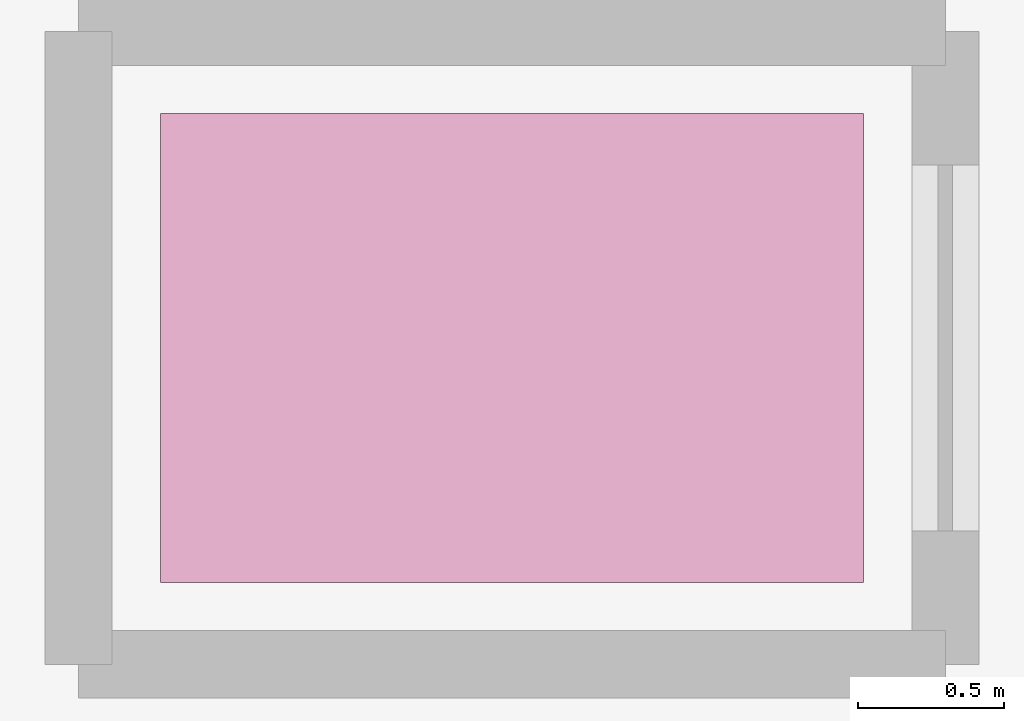
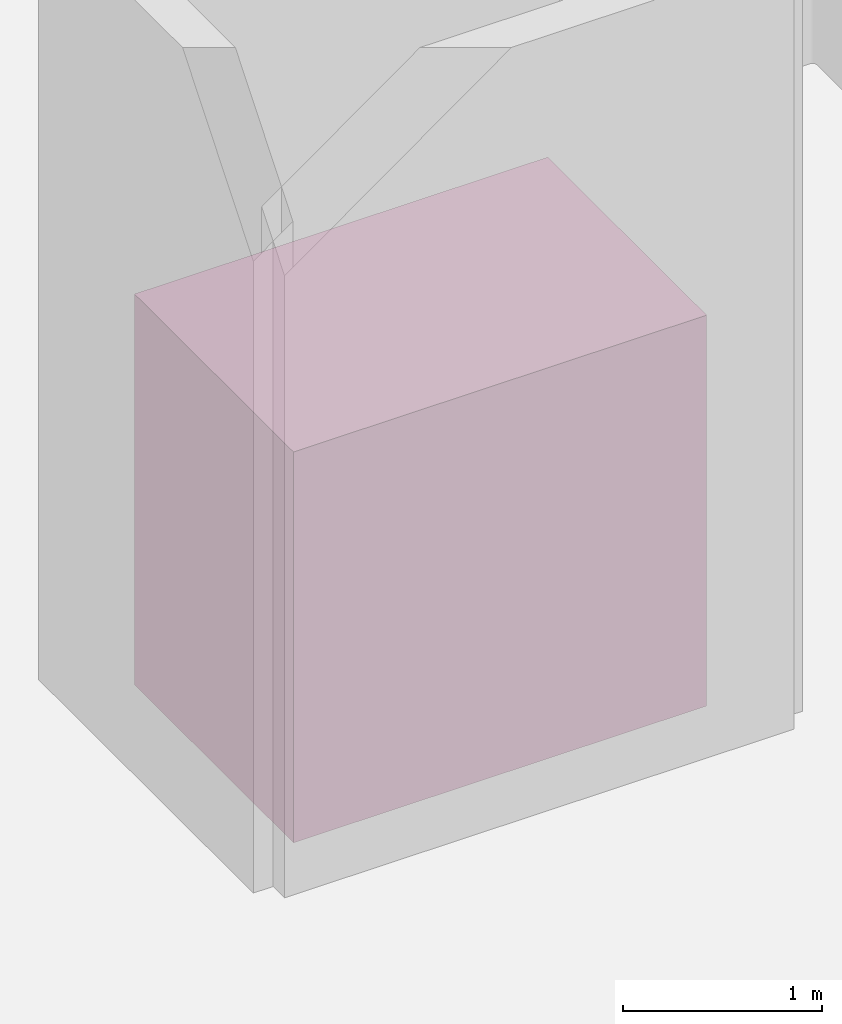
# One storey, part 143 of 143: 1 transport element.
"""IFC4 building model written with IfcOpenShell, lengths in metres."""

import ifcopenshell
import ifcopenshell.guid

model = None  # the IFC model being written
_history = None  # IfcOwnerHistory: only IFC2X3 demands one
_inside = {}  # id of a spatial element -> (the spatial element, [elements in it])
_under = {}  # id of a project, library or spatial element -> (it, [spatial elements below it])
_declared = {}  # id of a project -> (the project, [libraries it declares])
_typed = {}  # id of a type object -> (the type object, [elements of that type])
_made_of = {}  # id of a material, layer set ... -> (it, [elements and type objects made of it])


def new_model(schema):
    """Start an empty IFC model of exactly this schema.

    Asked for "IFC4X3", IfcOpenShell would pick the latest addendum, in which some entities
    have other attributes; the version numbers below select the first issue.
    IFC2X3 requires an IfcOwnerHistory on every rooted entity: one is made here for all.
    """
    global model, _history
    if schema == "IFC4X3":
        model = ifcopenshell.file(schema_version=(4, 3, 0, 0))
    else:
        model = ifcopenshell.file(schema=schema)
    _inside.clear()
    _under.clear()
    _declared.clear()
    _typed.clear()
    _made_of.clear()
    _history = None
    if model.schema == "IFC2X3":
        org = make("IfcOrganization", Name="unknown")
        user = make(
            "IfcPersonAndOrganization",
            ThePerson=make("IfcPerson", FamilyName="unknown"),
            TheOrganization=org,
        )
        app = make(
            "IfcApplication",
            ApplicationDeveloper=org,
            Version="unknown",
            ApplicationFullName="unknown",
            ApplicationIdentifier="unknown",
        )
        _history = make(
            "IfcOwnerHistory",
            OwningUser=user,
            OwningApplication=app,
            ChangeAction="ADDED",
            CreationDate=0,
        )
    return model


def make(cls, **values):
    """One entity of the class cls with the attributes given. An attribute that is None is left unset."""
    return model.create_entity(
        cls, **{name: value for name, value in values.items() if value is not None}
    )


def rooted(cls, **values):
    """An entity with a GlobalId (a new one), such as an element, a storey or a relation."""
    return make(cls, GlobalId=ifcopenshell.guid.new(), OwnerHistory=_history, **values)


def si_unit(unit_type, name, prefix=None):
    """IfcSIUnit, for example si_unit("LENGTHUNIT", "METRE", prefix="MILLI")."""
    return make("IfcSIUnit", UnitType=unit_type, Prefix=prefix, Name=name)


def assignment(units):
    """IfcUnitAssignment: the units of a project."""
    return None if units is None else make("IfcUnitAssignment", Units=units)


def point(xyz):
    """IfcCartesianPoint."""
    return None if xyz is None else make("IfcCartesianPoint", Coordinates=xyz)


def direction(xyz):
    """IfcDirection."""
    return None if xyz is None else make("IfcDirection", DirectionRatios=xyz)


def frame(location, z_axis=None, x_axis=None):
    """IfcAxis2Placement3D, a coordinate frame: its origin and axes. An axis left out is left unset."""
    return make(
        "IfcAxis2Placement3D",
        Location=point(location),
        Axis=direction(z_axis),
        RefDirection=direction(x_axis),
    )


def frame_2d(location, x_axis=None):
    """IfcAxis2Placement2D, a coordinate frame in the plane: its origin and x axis."""
    return make(
        "IfcAxis2Placement2D", Location=point(location), RefDirection=direction(x_axis)
    )


def origin():
    """The frame at (0, 0, 0) with its axes left unset."""
    return frame((0.0, 0.0, 0.0))


def origin_2d():
    """The frame at (0, 0) in the plane with its x axis left unset."""
    return frame_2d((0.0, 0.0))


def place(relative_to, where):
    """IfcLocalPlacement: puts the frame where relative to a parent placement (None: the world)."""
    return make(
        "IfcLocalPlacement", PlacementRelTo=relative_to, RelativePlacement=where
    )


def context(
    kind, dimensions, precision=None, world=None, true_north=None, identifier=None
):
    """IfcGeometricRepresentationContext, for example the 3D "Model" context."""
    return make(
        "IfcGeometricRepresentationContext",
        ContextIdentifier=identifier,
        ContextType=kind,
        CoordinateSpaceDimension=dimensions,
        Precision=precision,
        WorldCoordinateSystem=world,
        TrueNorth=true_north,
    )


def subcontext(parent, identifier, kind, view, scale=None):
    """IfcGeometricRepresentationSubContext, for example "Body" below "Model"."""
    return make(
        "IfcGeometricRepresentationSubContext",
        ContextIdentifier=identifier,
        ContextType=kind,
        ParentContext=parent,
        TargetScale=scale,
        TargetView=view,
    )


def project(units=None, contexts=None):
    """IfcProject with its units and contexts."""
    return rooted(
        "IfcProject",
        Name="project",
        RepresentationContexts=contexts,
        UnitsInContext=assignment(units),
    )


def spatial(cls, under=None, at=None, **own):
    """A site, building, storey or space (cls), placed at a placement, below another one or the project."""
    s = rooted(cls, ObjectPlacement=at, **own)
    if under is not None:
        _under.setdefault(under.id(), (under, []))[1].append(s)
    return s


def profile(cls, at=None, kind="AREA", **sizes):
    """A parametric profile (cls). Its sizes go by their IFC names, for example OverallWidth=200.0."""
    return make(cls, ProfileType=kind, Position=at, **sizes)


def rectangle(**sizes):
    """IfcRectangleProfileDef."""
    return profile("IfcRectangleProfileDef", **sizes)


def extrude(swept, where, along, depth):
    """IfcExtrudedAreaSolid: the profile swept, set in the frame where, extruded along a direction by depth."""
    return make(
        "IfcExtrudedAreaSolid",
        SweptArea=swept,
        Position=where,
        ExtrudedDirection=direction(along),
        Depth=depth,
    )


def shape(context_of_items, identifier, shape_type, items):
    """IfcShapeRepresentation: the items that make up one representation, for example the "Body"."""
    return make(
        "IfcShapeRepresentation",
        ContextOfItems=context_of_items,
        RepresentationIdentifier=identifier,
        RepresentationType=shape_type,
        Items=items,
    )


def material(Name=None, Category=None):
    """IfcMaterial."""
    return make("IfcMaterial", Name=Name, Category=Category)


def made_of(thing, what):
    """Note that an element or type object is made of a material, layer set ...; save() writes the relation."""
    if what is not None:
        _made_of.setdefault(what.id(), (what, []))[1].append(thing)
    return thing


def type_object(cls, material=None, **own):
    """A type object (cls), such as IfcWallType, which elements share."""
    return made_of(rooted(cls, **own), material)


def element(
    cls,
    number,
    at=None,
    inside=None,
    cuts=None,
    type_object=None,
    material=None,
    context=None,
    identifier="Body",
    shape_type=None,
    held_by="IfcProductDefinitionShape",
    body=None,
    shapes=None,
    **own,
):
    """One element of the class cls, such as IfcWall. Its Tag is "e" and its number.

    at: its placement. inside: the storey or other place that contains it. cuts: it is an
    opening in that element (IfcRelVoidsElement). A single representation is given by context,
    identifier, shape_type and body (its items); several are given by shapes. held_by: the class
    of the entity that holds the representations. save() writes the other relations.
    """
    e = rooted(cls, Tag="e%d" % number, ObjectPlacement=at, **own)
    if body is not None:
        shapes = [shape(context, identifier, shape_type, body)]
    if shapes is not None:
        e.Representation = make(held_by, Representations=shapes)
    if inside is not None:
        _inside.setdefault(inside.id(), (inside, []))[1].append(e)
    if cuts is not None:
        rooted(
            "IfcRelVoidsElement", RelatingBuildingElement=cuts, RelatedOpeningElement=e
        )
    if type_object is not None:
        _typed.setdefault(type_object.id(), (type_object, []))[1].append(e)
    return made_of(e, material)


def aggregate(whole, parts):
    """IfcRelAggregates: a whole, such as a stair, and the parts it consists of."""
    return rooted("IfcRelAggregates", RelatingObject=whole, RelatedObjects=parts)


def save(model, path):
    """Write the relations noted so far, then the file.

    IfcRelAggregates (storeys below a building ...), IfcRelContainedInSpatialStructure (elements
    in a storey), IfcRelDefinesByType, IfcRelAssociatesMaterial and IfcRelDeclares: one each for
    every whole, place, type object, material and project.
    """
    for whole, parts in _under.values():
        aggregate(whole, parts)
    for where, things in _inside.values():
        rooted(
            "IfcRelContainedInSpatialStructure",
            RelatedElements=things,
            RelatingStructure=where,
        )
    for kind, things in _typed.values():
        rooted("IfcRelDefinesByType", RelatedObjects=things, RelatingType=kind)
    for what, things in _made_of.values():
        rooted("IfcRelAssociatesMaterial", RelatedObjects=things, RelatingMaterial=what)
    for by, libraries in _declared.values():
        rooted("IfcRelDeclares", RelatingContext=by, RelatedDefinitions=libraries)
    model.write(path)


model = new_model("IFC4")

# Units and contexts
model_context = context("Model", 3, precision=1e-05, world=origin(), true_north=direction((0.0, 1.0)))
body_context = subcontext(model_context, "Body", "Model", "MODEL_VIEW")
ifc_project = project(units=[si_unit("LENGTHUNIT", "METRE"), si_unit("AREAUNIT", "SQUARE_METRE"), si_unit("VOLUMEUNIT", "CUBIC_METRE"), si_unit("PLANEANGLEUNIT", "RADIAN"), si_unit("MASSUNIT", "GRAM", prefix="KILO")], contexts=[model_context])

# Site, building, storey
site_placement = place(None, origin())
site = spatial("IfcSite", under=ifc_project, at=site_placement, CompositionType="ELEMENT")
building_placement = place(site_placement, origin())
building = spatial("IfcBuilding", under=site, at=building_placement, Name="Marlcrest Central Station", CompositionType="ELEMENT")
storey_placement = place(building_placement, frame((0.0, 0.0, 4.800048828125)))
storey = spatial("IfcBuildingStorey", under=building, at=storey_placement, Name="L01", CompositionType="ELEMENT", Elevation=4.800048828125)

# Transport element
ifc_material = material(Name="Stainless steel stretcher lift car", Category="steel")
transport_element_type = type_object("IfcTransportElementType", Name="EL-STR", PredefinedType="ELEVATOR", material=ifc_material)
transport_element_placement = place(storey_placement, frame((93.0, 116.0, 0.0), z_axis=(0.0, 0.0, 1.0), x_axis=(1.0, 0.0, 0.0)))
element("IfcTransportElement", 1, at=transport_element_placement, inside=storey, type_object=transport_element_type, Name="LF-C2", PredefinedType="ELEVATOR", context=body_context, shape_type="SweptSolid", body=[
    extrude(rectangle(XDim=2.39990234375, YDim=1.60009765625, at=origin_2d()), origin(), (0.0, 0.0, 1.0), 2.39990234375),
])

save(model, "model.ifc")
